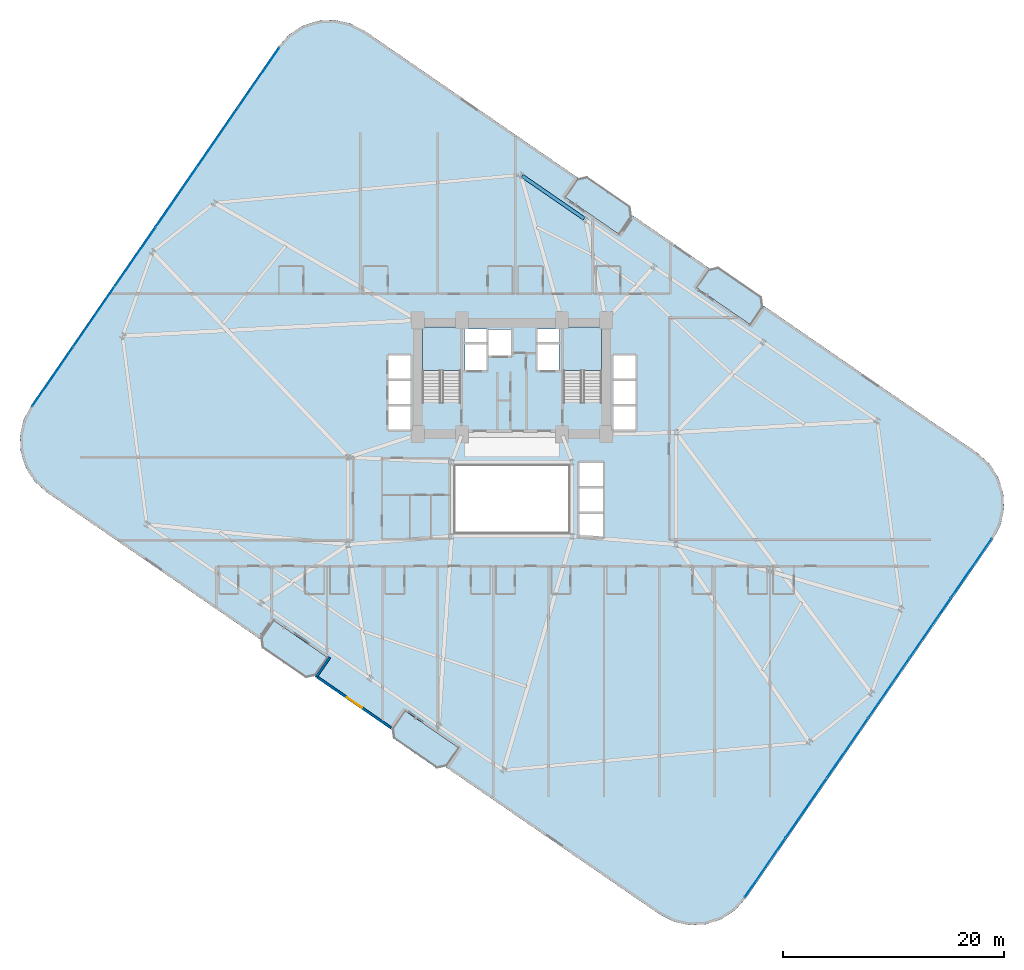
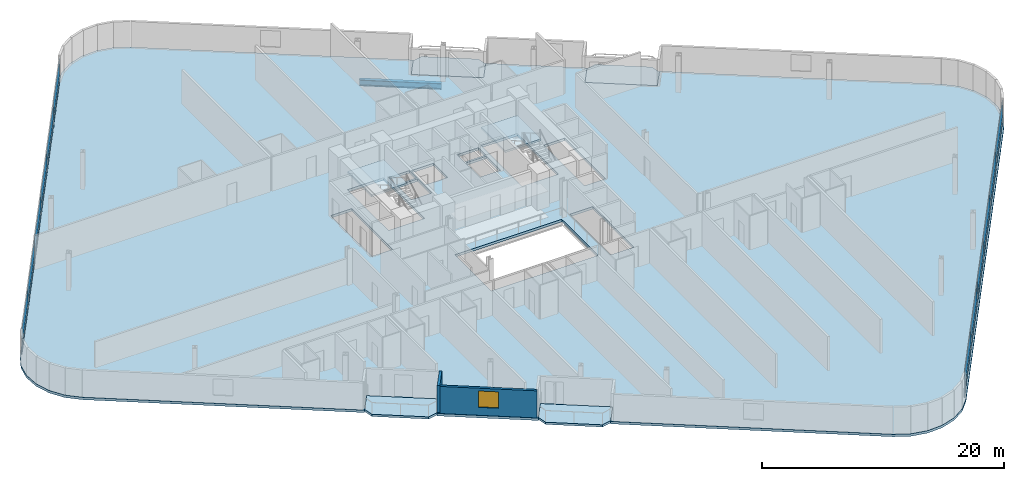
# One storey, part 16 of 25: 24 plates, 7 slabs, 2 walls, 1 beam, 1 window, 1 opening, 4 elements without a shape of their own.
"""IFC4 building model written with IfcOpenShell, lengths in metres."""

from ifc_helpers import new_model, si_unit, direction, frame, frame_2d, origin, origin_2d, place, context, subcontext, project, spatial, polyline, rectangle, i_section, outline, extrude, source, transform, mapped, material, layer, layer_set, material_profile, profile_set, type_object, element, fill, aggregate, save


model = new_model("IFC4")

# Units and contexts
model_context = context("Model", 3, precision=1e-05, world=origin(), true_north=direction((0.0, 1.0)))
body_context = subcontext(model_context, "Body", "Model", "MODEL_VIEW")
ifc_project = project(units=[si_unit("LENGTHUNIT", "METRE"), si_unit("AREAUNIT", "SQUARE_METRE"), si_unit("VOLUMEUNIT", "CUBIC_METRE"), si_unit("PLANEANGLEUNIT", "RADIAN"), si_unit("MASSUNIT", "GRAM", prefix="KILO")], contexts=[model_context])

# Site, building, storey
site_placement = place(None, origin())
site = spatial("IfcSite", under=ifc_project, at=site_placement, CompositionType="ELEMENT")
building_placement = place(site_placement, origin())
building = spatial("IfcBuilding", under=site, at=building_placement, Name="Varnelok Gate Tower", CompositionType="ELEMENT")
storey_placement = place(building_placement, frame((0.0, 0.0, 34.39990234375)))
storey = spatial("IfcBuildingStorey", under=building, at=storey_placement, Name="L07", CompositionType="ELEMENT", Elevation=34.39990234375)

# Beam
ifc_material_1 = material(Name="Structural Steel ASTM A992 Grade 50", Category="steel")
ifc_material_profile = material_profile(ifc_material_1, i_section(OverallWidth=0.323974609375, OverallDepth=0.611083984375, WebThickness=0.0126953125, FlangeThickness=0.01904296875, FilletRadius=0.01806640625, at=origin_2d()), Name="W24X104")
ifc_profile_set = profile_set([ifc_material_profile], Name="Structural Steel ASTM A992 Grade 50")
beam_type = type_object("IfcBeamType", Name="BM-SPN-W24X104", PredefinedType="SPANDREL", material=ifc_profile_set)
beam_placement = place(storey_placement, frame((45.708984375, 48.235107421875, -0.555419921875), z_axis=(-0.823553445566, 0.567238681947, 0.0), x_axis=(-0.567238681947, -0.823553445566, 0.0)))
element("IfcBeam", 1, at=beam_placement, inside=storey, type_object=beam_type, Name="L07 Perimeter Spandrel Beam 12", PredefinedType="SPANDREL", context=body_context, shape_type="SweptSolid", body=[
    extrude(i_section(OverallWidth=0.323974609375, OverallDepth=0.611083984375, WebThickness=0.0126953125, FlangeThickness=0.01904296875, FilletRadius=0.01806640625, at=origin_2d()), origin(), (0.0, 0.0, 1.0), 6.7998046875),
])

# Slabs
ifc_material_2 = material(Name="Concrete C45/55", Category="concrete")
ifc_layer_1 = layer(ifc_material_2, 0.219970703125)
ifc_layer_set_1 = layer_set([ifc_layer_1], Name="Concrete C45/55")
slab_type_1 = type_object("IfcSlabType", Name="SLB-BALC-220", PredefinedType="FLOOR", material=ifc_layer_set_1)
slab_1_placement = place(storey_placement, frame((0.0, 0.0, -0.219970703125)))
element("IfcSlab", 2, at=slab_1_placement, inside=storey, type_object=slab_type_1, Name="L07 South Hollow Balcony 1", PredefinedType="FLOOR", context=body_context, shape_type="SweptSolid", body=[
    extrude(outline(polyline([(16.5048828125, 10.3330078125), (16.67138671875, 9.42919921875), (20.5419921875, 6.762939453125), (21.446044921875, 6.929443359375), (22.58056640625, 8.57666015625), (17.639404296875, 11.980224609375), (16.5048828125, 10.3330078125)])), origin(), (0.0, 0.0, 1.0), 0.219970703125),
])
slab_2_placement = place(storey_placement, frame((0.0, 0.0, -0.219970703125)))
element("IfcSlab", 3, at=slab_2_placement, inside=storey, type_object=slab_type_1, Name="L07 South Hollow Balcony 2", PredefinedType="FLOOR", context=body_context, shape_type="SweptSolid", body=[
    extrude(outline(polyline([(28.36376953125, 2.164306640625), (28.5302734375, 1.260498046875), (32.40087890625, -1.40576171875), (33.304931640625, -1.2392578125), (34.439453125, 0.407958984375), (29.498291015625, 3.8115234375), (28.36376953125, 2.164306640625)])), origin(), (0.0, 0.0, 1.0), 0.219970703125),
])
slab_3_placement = place(storey_placement, frame((0.0, 0.0, -0.219970703125)))
element("IfcSlab", 4, at=slab_3_placement, inside=storey, type_object=slab_type_1, Name="L07 North Hollow Balcony 1", PredefinedType="FLOOR", context=body_context, shape_type="SweptSolid", body=[
    extrude(outline(polyline([(43.960693359375, 50.192138671875), (48.90185546875, 46.78857421875), (50.036376953125, 48.435546875), (49.869873046875, 49.339599609375), (45.999267578125, 52.005615234375), (45.09521484375, 51.839111328125), (43.960693359375, 50.192138671875)])), origin(), (0.0, 0.0, 1.0), 0.219970703125),
])
slab_4_placement = place(storey_placement, frame((0.0, 0.0, -0.219970703125)))
element("IfcSlab", 5, at=slab_4_placement, inside=storey, type_object=slab_type_1, Name="L07 North Hollow Balcony 2", PredefinedType="FLOOR", context=body_context, shape_type="SweptSolid", body=[
    extrude(outline(polyline([(55.819580078125, 42.0234375), (60.7607421875, 38.619873046875), (61.895263671875, 40.266845703125), (61.728515625, 41.1708984375), (57.85791015625, 43.837158203125), (56.9541015625, 43.67041015625), (55.819580078125, 42.0234375)])), origin(), (0.0, 0.0, 1.0), 0.219970703125),
])

# Stair, slab
ifc_material_3 = material(Name="Concrete C50/60", Category="concrete")
stair_type = type_object("IfcStairType", Name="STR-CORE-1650", PredefinedType="HALF_TURN_STAIR", material=ifc_material_3)
stair_1_placement = place(storey_placement, origin())
stair_1 = element("IfcStair", 6, at=stair_1_placement, inside=storey, type_object=stair_type, Name="L07 Exit Stair ST-1", PredefinedType="HALF_TURN_STAIR")
ifc_layer_2 = layer(ifc_material_2, 0.199951171875)
ifc_layer_set_2 = layer_set([ifc_layer_2], Name="Concrete C45/55")
slab_type_2 = type_object("IfcSlabType", Name="SLB-LAND-200", PredefinedType="LANDING", material=ifc_layer_set_2)
slab_5_placement = place(storey_placement, frame((0.0, 0.0, 1.650146484375)))
slab_5 = element("IfcSlab", 7, at=slab_5_placement, type_object=slab_type_2, Name="ST-1 landing 1", PredefinedType="LANDING", context=body_context, shape_type="SweptSolid", body=[
    extrude(outline(polyline([(34.550048828125, 34.5), (34.550048828125, 38.449951171875), (31.10009765625, 38.449951171875), (31.10009765625, 34.5), (34.550048828125, 34.5)])), origin(), (0.0, 0.0, 1.0), 0.199951171875),
])
aggregate(stair_1, [slab_5])

stair_2_placement = place(storey_placement, origin())
stair_2 = element("IfcStair", 8, at=stair_2_placement, inside=storey, type_object=stair_type, Name="L07 Exit Stair ST-2", PredefinedType="HALF_TURN_STAIR")
slab_6_placement = place(storey_placement, frame((0.0, 0.0, 1.650146484375)))
slab_6 = element("IfcSlab", 9, at=slab_6_placement, type_object=slab_type_2, Name="ST-2 landing 1", PredefinedType="LANDING", context=body_context, shape_type="SweptSolid", body=[
    extrude(outline(polyline([(47.300048828125, 34.5), (47.300048828125, 38.449951171875), (43.85009765625, 38.449951171875), (43.85009765625, 34.5), (47.300048828125, 34.5)])), origin(), (0.0, 0.0, 1.0), 0.199951171875),
])
aggregate(stair_2, [slab_6])

# Slab
ifc_layer_3 = layer(ifc_material_3, 0.25)
ifc_layer_set_3 = layer_set([ifc_layer_3], Name="Concrete C50/60")
slab_type_3 = type_object("IfcSlabType", Name="SLB-TYP-250", PredefinedType="FLOOR", material=ifc_layer_set_3)
slab_7_placement = place(storey_placement, frame((0.0, 0.0, -0.25)))
element("IfcSlab", 10, at=slab_7_placement, inside=storey, type_object=slab_type_3, Name="L07 Structural Floor Slab", PredefinedType="FLOOR", context=body_context, shape_type="SweptSolid", body=[
    extrude(outline(polyline([(-4.2578125, 31.3134765625), (-4.922607421875, 30.011474609375), (-5.22802734375, 28.581787109375), (-5.1533203125, 27.121826171875), (-4.702880859375, 25.731201171875), (-3.907958984375, 24.504150390625), (-2.822509765625, 23.52490234375), (7.7734375, 16.22607421875), (16.447998046875, 10.250732421875), (17.639404296875, 11.980224609375), (22.58056640625, 8.57666015625), (21.389404296875, 6.84716796875), (28.306884765625, 2.08203125), (29.498291015625, 3.8115234375), (34.439453125, 0.407958984375), (33.248046875, -1.321533203125), (41.922607421875, -7.296875), (52.518798828125, -14.595703125), (53.82080078125, -15.2607421875), (55.250244140625, -15.566162109375), (56.710205078125, -15.4912109375), (58.10107421875, -15.040771484375), (59.327880859375, -14.245849609375), (60.307373046875, -13.160400390625), (82.65771484375, 19.28662109375), (83.32275390625, 20.58837890625), (83.628173828125, 22.018310546875), (83.55322265625, 23.47802734375), (83.102783203125, 24.868896484375), (82.30810546875, 26.095703125), (81.22265625, 27.0751953125), (70.62646484375, 34.3740234375), (61.951904296875, 40.34912109375), (60.7607421875, 38.619873046875), (55.819580078125, 42.0234375), (57.0107421875, 43.752685546875), (50.093017578125, 48.517822265625), (48.90185546875, 46.78857421875), (43.960693359375, 50.192138671875), (45.15185546875, 51.92138671875), (36.477294921875, 57.896728515625), (25.881103515625, 65.195556640625), (24.579345703125, 65.860595703125), (23.149658203125, 66.166015625), (21.689697265625, 66.091064453125), (20.299072265625, 65.640869140625), (19.072021484375, 64.845947265625), (18.0927734375, 63.760498046875), (-4.2578125, 31.3134765625)]), holes=[polyline([(34.550048828125, 31.679931640625), (34.550048828125, 38.449951171875), (31.10009765625, 38.449951171875), (31.10009765625, 31.679931640625), (34.550048828125, 31.679931640625)]), polyline([(47.300048828125, 31.679931640625), (47.300048828125, 38.449951171875), (43.85009765625, 38.449951171875), (43.85009765625, 31.679931640625), (47.300048828125, 31.679931640625)]), polyline([(34.949951171875, 34.550048828125), (36.89990234375, 34.550048828125), (36.89990234375, 36.89990234375), (34.949951171875, 36.89990234375), (34.949951171875, 34.550048828125)]), polyline([(41.5, 34.550048828125), (43.449951171875, 34.550048828125), (43.449951171875, 36.89990234375), (41.5, 36.89990234375), (41.5, 34.550048828125)]), polyline([(37.050048828125, 35.85009765625), (39.14990234375, 35.85009765625), (39.14990234375, 38.199951171875), (37.050048828125, 38.199951171875), (37.050048828125, 35.85009765625)]), polyline([(28.050048828125, 29.14990234375), (30.050048828125, 29.14990234375), (30.050048828125, 35.89990234375), (28.050048828125, 35.89990234375), (28.050048828125, 29.14990234375)]), polyline([(48.35009765625, 29.14990234375), (50.35009765625, 29.14990234375), (50.35009765625, 35.89990234375), (48.35009765625, 35.89990234375), (48.35009765625, 29.14990234375)]), polyline([(45.25, 19.449951171875), (47.449951171875, 19.449951171875), (47.449951171875, 26.199951171875), (45.25, 26.199951171875), (45.25, 19.449951171875)]), polyline([(34.919921875, 37.080078125), (36.89990234375, 37.080078125), (36.89990234375, 38.280029296875), (34.919921875, 38.280029296875), (34.919921875, 37.080078125)]), polyline([(41.5, 37.080078125), (43.47998046875, 37.080078125), (43.47998046875, 38.280029296875), (41.5, 38.280029296875), (41.5, 37.080078125)]), polyline([(34.10009765625, 19.89990234375), (44.300048828125, 19.89990234375), (44.300048828125, 25.89990234375), (34.10009765625, 25.89990234375), (34.10009765625, 19.89990234375)])]), origin(), (0.0, 0.0, 1.0), 0.25),
])

# Curtain wall, plates
ifc_material_4 = material(Name="Anodized Aluminum Alloy 6063-T6", Category="aluminium")
ifc_layer_4 = layer(ifc_material_4, 0.179931640625)
ifc_layer_set_4 = layer_set([ifc_layer_4], Name="Anodized Aluminum Alloy 6063-T6")
curtain_wall_type = type_object("IfcCurtainWallType", Name="CW3-HOTEL-VISION", PredefinedType="USERDEFINED", material=ifc_layer_set_4)
curtain_wall_1_placement = place(storey_placement, origin())
curtain_wall_1 = element("IfcCurtainWall", 11, at=curtain_wall_1_placement, inside=storey, type_object=curtain_wall_type, Name="L07 West End Vision Curtain Wall", ObjectType="UNITISED CURTAIN WALL", PredefinedType="USERDEFINED")
ifc_material_5 = material(Name="Low-E Laminated Double Glazing IGU", Category="glass")
ifc_layer_5 = layer(ifc_material_5, 0.031982421875)
ifc_layer_set_5 = layer_set([ifc_layer_5], Name="Low-E Laminated Double Glazing IGU")
plate_type = type_object("IfcPlateType", Name="CW-PNL-IGU32", PredefinedType="CURTAIN_PANEL", material=ifc_layer_set_5)
shared_shape_1 = source(origin(), body_context, "Body", "SweptSolid", [
    extrude(rectangle(XDim=6.46923828125, YDim=0.031982421875, at=origin_2d()), origin(), (0.0, 0.0, 1.0), 0.802490234375),
])
plate_1_placement = place(storey_placement, frame((-2.270751953125, 33.951171875, 0.06494140625), z_axis=(0.0, 0.0, 1.0), x_axis=(0.567268822124, 0.823532685111, 0.0)))
plate_1 = element("IfcPlate", 12, at=plate_1_placement, type_object=plate_type, Name="CW3 panel 1.1", PredefinedType="CURTAIN_PANEL", context=body_context, shape_type="MappedRepresentation", body=[
    mapped(shared_shape_1, transform((0.0, 0.0, 0.0), scale=1.0)),
])
plate_2_placement = place(storey_placement, frame((16.336181640625, 60.9638671875, 0.06494140625), z_axis=(0.0, 0.0, 1.0), x_axis=(0.567268822124, 0.823532685111, 0.0)))
plate_2 = element("IfcPlate", 13, at=plate_2_placement, type_object=plate_type, Name="CW3 panel 6.1", PredefinedType="CURTAIN_PANEL", context=body_context, shape_type="MappedRepresentation", body=[
    mapped(shared_shape_1, transform((0.0, 0.0, 0.0), scale=1.0)),
])

curtain_wall_2_placement = place(storey_placement, origin())
curtain_wall_2 = element("IfcCurtainWall", 14, at=curtain_wall_2_placement, inside=storey, type_object=curtain_wall_type, Name="L07 East End Vision Curtain Wall", ObjectType="UNITISED CURTAIN WALL", PredefinedType="USERDEFINED")
plate_3_placement = place(storey_placement, frame((80.670654296875, 16.648681640625, 0.06494140625), z_axis=(0.0, 0.0, 1.0), x_axis=(-0.567268822124, -0.823532685111, 0.0)))
plate_3 = element("IfcPlate", 15, at=plate_3_placement, type_object=plate_type, Name="CW3 panel 1.1", PredefinedType="CURTAIN_PANEL", context=body_context, shape_type="MappedRepresentation", body=[
    mapped(shared_shape_1, transform((0.0, 0.0, 0.0), scale=1.0)),
])
plate_4_placement = place(storey_placement, frame((62.063720703125, -10.36376953125, 0.06494140625), z_axis=(0.0, 0.0, 1.0), x_axis=(-0.567268822124, -0.823532685111, 0.0)))
plate_4 = element("IfcPlate", 16, at=plate_4_placement, type_object=plate_type, Name="CW3 panel 6.1", PredefinedType="CURTAIN_PANEL", context=body_context, shape_type="MappedRepresentation", body=[
    mapped(shared_shape_1, transform((0.0, 0.0, 0.0), scale=1.0)),
])

# Plate
shared_shape_2 = source(origin(), body_context, "Body", "SweptSolid", [
    extrude(rectangle(XDim=6.46923828125, YDim=0.031982421875, at=origin_2d()), origin(), (0.0, 0.0, 1.0), 1.732421875),
])
plate_5_placement = place(storey_placement, frame((-2.270751953125, 33.951171875, 0.9326171875), z_axis=(0.0, 0.0, 1.0), x_axis=(0.567268822124, 0.823532685111, 0.0)))
plate_5 = element("IfcPlate", 17, at=plate_5_placement, type_object=plate_type, Name="CW3 panel 1.2", PredefinedType="CURTAIN_PANEL", context=body_context, shape_type="MappedRepresentation", body=[
    mapped(shared_shape_2, transform((0.0, 0.0, 0.0), scale=1.0)),
])

plate_6_placement = place(storey_placement, frame((16.336181640625, 60.9638671875, 0.9326171875), z_axis=(0.0, 0.0, 1.0), x_axis=(0.567268822124, 0.823532685111, 0.0)))
plate_6 = element("IfcPlate", 18, at=plate_6_placement, type_object=plate_type, Name="CW3 panel 6.2", PredefinedType="CURTAIN_PANEL", context=body_context, shape_type="MappedRepresentation", body=[
    mapped(shared_shape_2, transform((0.0, 0.0, 0.0), scale=1.0)),
])

plate_7_placement = place(storey_placement, frame((80.670654296875, 16.648681640625, 0.9326171875), z_axis=(0.0, 0.0, 1.0), x_axis=(-0.567268822124, -0.823532685111, 0.0)))
plate_7 = element("IfcPlate", 19, at=plate_7_placement, type_object=plate_type, Name="CW3 panel 1.2", PredefinedType="CURTAIN_PANEL", context=body_context, shape_type="MappedRepresentation", body=[
    mapped(shared_shape_2, transform((0.0, 0.0, 0.0), scale=1.0)),
])

plate_8_placement = place(storey_placement, frame((62.063720703125, -10.36376953125, 0.9326171875), z_axis=(0.0, 0.0, 1.0), x_axis=(-0.567268822124, -0.823532685111, 0.0)))
plate_8 = element("IfcPlate", 20, at=plate_8_placement, type_object=plate_type, Name="CW3 panel 6.2", PredefinedType="CURTAIN_PANEL", context=body_context, shape_type="MappedRepresentation", body=[
    mapped(shared_shape_2, transform((0.0, 0.0, 0.0), scale=1.0)),
])

shared_shape_3 = source(origin(), body_context, "Body", "SweptSolid", [
    extrude(rectangle(XDim=6.501708984375, YDim=0.031982421875, at=origin_2d()), origin(), (0.0, 0.0, 1.0), 0.802490234375),
])
plate_9_placement = place(storey_placement, frame((1.4453125, 39.345703125, 0.06494140625), z_axis=(0.0, 0.0, 1.0), x_axis=(0.567268822124, 0.823532685111, 0.0)))
plate_9 = element("IfcPlate", 21, at=plate_9_placement, type_object=plate_type, Name="CW3 panel 2.1", PredefinedType="CURTAIN_PANEL", context=body_context, shape_type="MappedRepresentation", body=[
    mapped(shared_shape_3, transform((0.0, 0.0, 0.0), scale=1.0)),
])

plate_10_placement = place(storey_placement, frame((5.170166015625, 44.753662109375, 0.06494140625), z_axis=(0.0, 0.0, 1.0), x_axis=(0.567268822124, 0.823532685111, 0.0)))
plate_10 = element("IfcPlate", 22, at=plate_10_placement, type_object=plate_type, Name="CW3 panel 3.1", PredefinedType="CURTAIN_PANEL", context=body_context, shape_type="MappedRepresentation", body=[
    mapped(shared_shape_3, transform((0.0, 0.0, 0.0), scale=1.0)),
])

plate_11_placement = place(storey_placement, frame((8.895263671875, 50.161376953125, 0.06494140625), z_axis=(0.0, 0.0, 1.0), x_axis=(0.567268822124, 0.823532685111, 0.0)))
plate_11 = element("IfcPlate", 23, at=plate_11_placement, type_object=plate_type, Name="CW3 panel 4.1", PredefinedType="CURTAIN_PANEL", context=body_context, shape_type="MappedRepresentation", body=[
    mapped(shared_shape_3, transform((0.0, 0.0, 0.0), scale=1.0)),
])

plate_12_placement = place(storey_placement, frame((12.620361328125, 55.5693359375, 0.06494140625), z_axis=(0.0, 0.0, 1.0), x_axis=(0.567268822124, 0.823532685111, 0.0)))
plate_12 = element("IfcPlate", 24, at=plate_12_placement, type_object=plate_type, Name="CW3 panel 5.1", PredefinedType="CURTAIN_PANEL", context=body_context, shape_type="MappedRepresentation", body=[
    mapped(shared_shape_3, transform((0.0, 0.0, 0.0), scale=1.0)),
])

plate_13_placement = place(storey_placement, frame((76.954833984375, 11.25439453125, 0.06494140625), z_axis=(0.0, 0.0, 1.0), x_axis=(-0.567268822124, -0.823532685111, 0.0)))
plate_13 = element("IfcPlate", 25, at=plate_13_placement, type_object=plate_type, Name="CW3 panel 2.1", PredefinedType="CURTAIN_PANEL", context=body_context, shape_type="MappedRepresentation", body=[
    mapped(shared_shape_3, transform((0.0, 0.0, 0.0), scale=1.0)),
])

plate_14_placement = place(storey_placement, frame((73.229736328125, 5.846435546875, 0.06494140625), z_axis=(0.0, 0.0, 1.0), x_axis=(-0.567268822124, -0.823532685111, 0.0)))
plate_14 = element("IfcPlate", 26, at=plate_14_placement, type_object=plate_type, Name="CW3 panel 3.1", PredefinedType="CURTAIN_PANEL", context=body_context, shape_type="MappedRepresentation", body=[
    mapped(shared_shape_3, transform((0.0, 0.0, 0.0), scale=1.0)),
])

plate_15_placement = place(storey_placement, frame((69.504638671875, 0.4384765625, 0.06494140625), z_axis=(0.0, 0.0, 1.0), x_axis=(-0.567268822124, -0.823532685111, 0.0)))
plate_15 = element("IfcPlate", 27, at=plate_15_placement, type_object=plate_type, Name="CW3 panel 4.1", PredefinedType="CURTAIN_PANEL", context=body_context, shape_type="MappedRepresentation", body=[
    mapped(shared_shape_3, transform((0.0, 0.0, 0.0), scale=1.0)),
])

plate_16_placement = place(storey_placement, frame((65.779541015625, -4.96923828125, 0.06494140625), z_axis=(0.0, 0.0, 1.0), x_axis=(-0.567268822124, -0.823532685111, 0.0)))
plate_16 = element("IfcPlate", 28, at=plate_16_placement, type_object=plate_type, Name="CW3 panel 5.1", PredefinedType="CURTAIN_PANEL", context=body_context, shape_type="MappedRepresentation", body=[
    mapped(shared_shape_3, transform((0.0, 0.0, 0.0), scale=1.0)),
])

shared_shape_4 = source(origin(), body_context, "Body", "SweptSolid", [
    extrude(rectangle(XDim=6.501708984375, YDim=0.031982421875, at=origin_2d()), origin(), (0.0, 0.0, 1.0), 1.732421875),
])
plate_17_placement = place(storey_placement, frame((1.4453125, 39.345703125, 0.9326171875), z_axis=(0.0, 0.0, 1.0), x_axis=(0.567268822124, 0.823532685111, 0.0)))
plate_17 = element("IfcPlate", 29, at=plate_17_placement, type_object=plate_type, Name="CW3 panel 2.2", PredefinedType="CURTAIN_PANEL", context=body_context, shape_type="MappedRepresentation", body=[
    mapped(shared_shape_4, transform((0.0, 0.0, 0.0), scale=1.0)),
])

plate_18_placement = place(storey_placement, frame((5.170166015625, 44.753662109375, 0.9326171875), z_axis=(0.0, 0.0, 1.0), x_axis=(0.567268822124, 0.823532685111, 0.0)))
plate_18 = element("IfcPlate", 30, at=plate_18_placement, type_object=plate_type, Name="CW3 panel 3.2", PredefinedType="CURTAIN_PANEL", context=body_context, shape_type="MappedRepresentation", body=[
    mapped(shared_shape_4, transform((0.0, 0.0, 0.0), scale=1.0)),
])

plate_19_placement = place(storey_placement, frame((8.895263671875, 50.161376953125, 0.9326171875), z_axis=(0.0, 0.0, 1.0), x_axis=(0.567268822124, 0.823532685111, 0.0)))
plate_19 = element("IfcPlate", 31, at=plate_19_placement, type_object=plate_type, Name="CW3 panel 4.2", PredefinedType="CURTAIN_PANEL", context=body_context, shape_type="MappedRepresentation", body=[
    mapped(shared_shape_4, transform((0.0, 0.0, 0.0), scale=1.0)),
])

plate_20_placement = place(storey_placement, frame((12.620361328125, 55.5693359375, 0.9326171875), z_axis=(0.0, 0.0, 1.0), x_axis=(0.567268822124, 0.823532685111, 0.0)))
plate_20 = element("IfcPlate", 32, at=plate_20_placement, type_object=plate_type, Name="CW3 panel 5.2", PredefinedType="CURTAIN_PANEL", context=body_context, shape_type="MappedRepresentation", body=[
    mapped(shared_shape_4, transform((0.0, 0.0, 0.0), scale=1.0)),
])

aggregate(curtain_wall_1, [plate_1, plate_5, plate_9, plate_17, plate_10, plate_18, plate_11, plate_19, plate_12, plate_20, plate_2, plate_6])

plate_21_placement = place(storey_placement, frame((76.954833984375, 11.25439453125, 0.9326171875), z_axis=(0.0, 0.0, 1.0), x_axis=(-0.567268822124, -0.823532685111, 0.0)))
plate_21 = element("IfcPlate", 33, at=plate_21_placement, type_object=plate_type, Name="CW3 panel 2.2", PredefinedType="CURTAIN_PANEL", context=body_context, shape_type="MappedRepresentation", body=[
    mapped(shared_shape_4, transform((0.0, 0.0, 0.0), scale=1.0)),
])

plate_22_placement = place(storey_placement, frame((73.229736328125, 5.846435546875, 0.9326171875), z_axis=(0.0, 0.0, 1.0), x_axis=(-0.567268822124, -0.823532685111, 0.0)))
plate_22 = element("IfcPlate", 34, at=plate_22_placement, type_object=plate_type, Name="CW3 panel 3.2", PredefinedType="CURTAIN_PANEL", context=body_context, shape_type="MappedRepresentation", body=[
    mapped(shared_shape_4, transform((0.0, 0.0, 0.0), scale=1.0)),
])

plate_23_placement = place(storey_placement, frame((69.504638671875, 0.4384765625, 0.9326171875), z_axis=(0.0, 0.0, 1.0), x_axis=(-0.567268822124, -0.823532685111, 0.0)))
plate_23 = element("IfcPlate", 35, at=plate_23_placement, type_object=plate_type, Name="CW3 panel 4.2", PredefinedType="CURTAIN_PANEL", context=body_context, shape_type="MappedRepresentation", body=[
    mapped(shared_shape_4, transform((0.0, 0.0, 0.0), scale=1.0)),
])

plate_24_placement = place(storey_placement, frame((65.779541015625, -4.96923828125, 0.9326171875), z_axis=(0.0, 0.0, 1.0), x_axis=(-0.567268822124, -0.823532685111, 0.0)))
plate_24 = element("IfcPlate", 36, at=plate_24_placement, type_object=plate_type, Name="CW3 panel 5.2", PredefinedType="CURTAIN_PANEL", context=body_context, shape_type="MappedRepresentation", body=[
    mapped(shared_shape_4, transform((0.0, 0.0, 0.0), scale=1.0)),
])

aggregate(curtain_wall_2, [plate_3, plate_7, plate_13, plate_21, plate_14, plate_22, plate_15, plate_23, plate_16, plate_24, plate_4, plate_8])

# Wall
ifc_layer_6 = layer(ifc_material_2, 0.219970703125)
ifc_layer_set_6 = layer_set([ifc_layer_6], Name="Concrete C45/55")
wall_type = type_object("IfcWallType", Name="EW-BALC-220", PredefinedType="SOLIDWALL", material=ifc_layer_set_6)
wall_1_placement = place(storey_placement, frame((22.747314453125, 8.607421875, 0.0), z_axis=(0.0, 0.0, 1.0), x_axis=(-0.567219383419, -0.823566737474, 0.0)))
element("IfcWall", 37, at=wall_1_placement, inside=storey, type_object=wall_type, Name="L07 Perimeter Facade Closure Wall 9", PredefinedType="SOLIDWALL", context=body_context, shape_type="SweptSolid", body=[
    extrude(rectangle(XDim=2.10009765625, YDim=0.219970703125, at=frame_2d((1.050048828125, 0.0))), origin(), (0.0, 0.0, 1.0), 2.72998046875),
])

# Wall, opening, window
wall_2_placement = place(storey_placement, frame((21.6591796875, 6.806884765625, 0.0), z_axis=(0.0, 0.0, 1.0), x_axis=(0.823535360023, -0.567264938799, 0.0)))
wall_2 = element("IfcWall", 38, at=wall_2_placement, inside=storey, type_object=wall_type, Name="L07 Perimeter Facade Closure Wall 10", PredefinedType="SOLIDWALL", context=body_context, shape_type="SweptSolid", body=[
    extrude(rectangle(XDim=8.034912109375, YDim=0.219970703125, at=frame_2d((4.017578125, 0.0))), origin(), (0.0, 0.0, 1.0), 2.72998046875),
])
opening_placement = place(wall_2_placement, frame((3.1923828125, 0.0, 0.800048828125)))
opening = element("IfcOpeningElement", 39, at=opening_placement, cuts=wall_2, Name="Opening WN3", PredefinedType="OPENING", context=body_context, shape_type="SweptSolid", body=[
    extrude(rectangle(XDim=1.64990234375, YDim=1.64990234375, at=frame_2d((0.824951171875, 0.824951171875))), frame((0.0, 0.119873046875, 0.0), z_axis=(0.0, -1.0, 0.0), x_axis=(1.0, 0.0, 0.0)), (0.0, 0.0, 1.0), 0.239990234375),
])
window_type = type_object("IfcWindowType", Name="WN-HTL-1650", PartitioningType="SINGLE_PANEL", PredefinedType="WINDOW", material=ifc_material_5)
window_placement = place(opening_placement, origin())
window = element("IfcWindow", 40, at=window_placement, inside=storey, type_object=window_type, Name="L07 Perimeter Vision Window 10", OverallHeight=1.64990234375, OverallWidth=1.64990234375, PartitioningType="SINGLE_PANEL", PredefinedType="WINDOW", context=body_context, shape_type="SweptSolid", body=[
    extrude(rectangle(XDim=1.64990234375, YDim=1.64990234375, at=frame_2d((0.824951171875, 0.824951171875))), frame((0.0, 0.030029296875, 0.0), z_axis=(0.0, -1.0, 0.0), x_axis=(1.0, 0.0, 0.0)), (0.0, 0.0, 1.0), 0.06005859375),
])
fill(opening, window)

save(model, "model.ifc")
